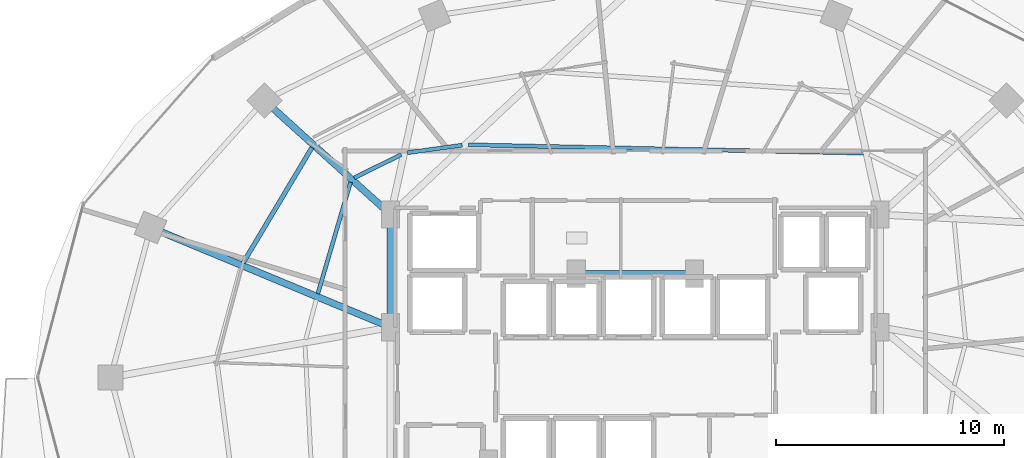
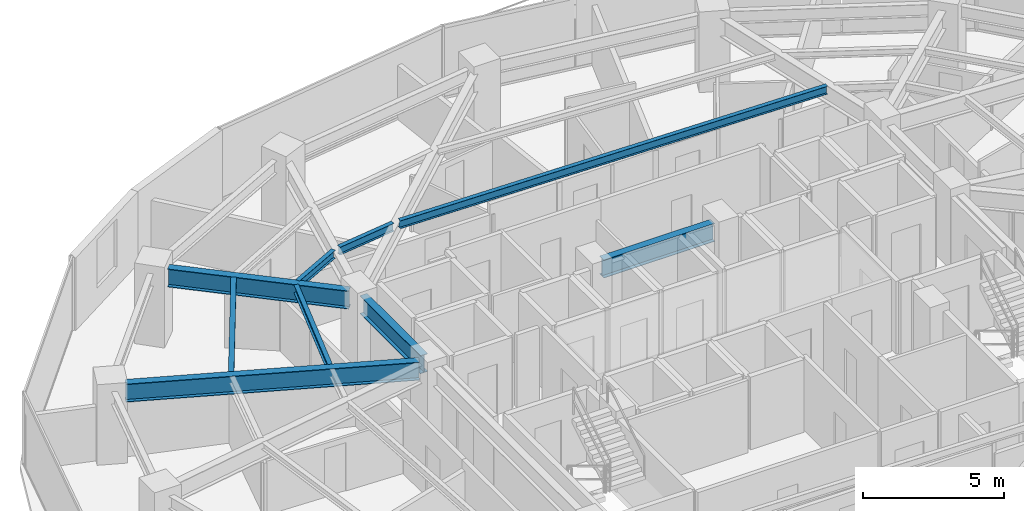
# One storey, part 10 of 29: 9 beams.
"""IFC4 building model written with IfcOpenShell, lengths in metres."""

from ifc_helpers import new_model, si_unit, direction, frame, origin, origin_2d, place, context, subcontext, project, spatial, i_section, extrude, material, material_profile, profile_set, type_object, element, save


model = new_model("IFC4")

# Units and contexts
model_context = context("Model", 3, precision=1e-05, world=origin(), true_north=direction((0.0, 1.0)))
body_context = subcontext(model_context, "Body", "Model", "MODEL_VIEW")
ifc_project = project(units=[si_unit("LENGTHUNIT", "METRE"), si_unit("AREAUNIT", "SQUARE_METRE"), si_unit("VOLUMEUNIT", "CUBIC_METRE"), si_unit("PLANEANGLEUNIT", "RADIAN"), si_unit("MASSUNIT", "GRAM", prefix="KILO")], contexts=[model_context])

# Site, building, storey
site_placement = place(None, origin())
site = spatial("IfcSite", under=ifc_project, at=site_placement, CompositionType="ELEMENT")
building_placement = place(site_placement, origin())
building = spatial("IfcBuilding", under=site, at=building_placement, Name="Vorneva Point Tower", CompositionType="ELEMENT")
storey_placement = place(building_placement, frame((0.0, 0.0, 120.800048828125)))
storey = spatial("IfcBuildingStorey", under=building, at=storey_placement, Name="L32", CompositionType="ELEMENT", Elevation=120.800048828125)

# Beams
ifc_material = material(Name="Steel S355", Category="steel")
ifc_material_profile_1 = material_profile(ifc_material, i_section(OverallWidth=0.300048828125, OverallDepth=0.7880859375, WebThickness=0.014404296875, FlangeThickness=0.02197265625, at=origin_2d()), Name="80Sh1")
ifc_profile_set_1 = profile_set([ifc_material_profile_1], Name="Steel S355")
beam_type_1 = type_object("IfcBeamType", Name="BM-GRD-80Sh1", PredefinedType="USERDEFINED", material=ifc_profile_set_1)
beam_1_placement = place(storey_placement, frame((22.100341796875, 37.801513671875, 2.755859375), z_axis=(0.742097300344, -0.670292172729, 0.0), x_axis=(0.670292172729, 0.742097300344, 0.0)))
element("IfcBeam", 1, at=beam_1_placement, inside=storey, type_object=beam_type_1, Name="L32 Radial Primary Girder 07", ObjectType="GIRDER", PredefinedType="USERDEFINED", context=body_context, shape_type="SweptSolid", body=[
    extrude(i_section(OverallWidth=0.300048828125, OverallDepth=0.7880859375, WebThickness=0.014404296875, FlangeThickness=0.02197265625, at=origin_2d()), origin(), (0.0, 0.0, 1.0), 6.599365234375),
])
beam_2_placement = place(storey_placement, frame((17.201416015625, 32.375732421875, 2.755859375), z_axis=(0.923444451211, -0.383732127307, 0.0), x_axis=(0.383732127307, 0.923444451211, 0.0)))
element("IfcBeam", 2, at=beam_2_placement, inside=storey, type_object=beam_type_1, Name="L32 Radial Primary Girder 08", ObjectType="GIRDER", PredefinedType="USERDEFINED", context=body_context, shape_type="SweptSolid", body=[
    extrude(i_section(OverallWidth=0.300048828125, OverallDepth=0.7880859375, WebThickness=0.014404296875, FlangeThickness=0.02197265625, at=origin_2d()), origin(), (0.0, 0.0, 1.0), 10.541748046875),
])
beam_3_placement = place(storey_placement, frame((27.25, 28.52001953125, 2.755859375), z_axis=(0.0, 1.0, 0.0), x_axis=(-1.0, 0.0, 0.0)))
element("IfcBeam", 3, at=beam_3_placement, inside=storey, type_object=beam_type_1, Name="L32 Core Tie Girder CT2", ObjectType="GIRDER", PredefinedType="USERDEFINED", context=body_context, shape_type="SweptSolid", body=[
    extrude(i_section(OverallWidth=0.300048828125, OverallDepth=0.7880859375, WebThickness=0.014404296875, FlangeThickness=0.02197265625, at=origin_2d()), origin(), (0.0, 0.0, 1.0), 4.31005859375),
])
beam_4_placement = place(storey_placement, frame((35.719970703125, 30.550048828125, 2.755859375), z_axis=(1.0, 0.0, 0.0), x_axis=(0.0, 1.0, 0.0)))
element("IfcBeam", 4, at=beam_4_placement, inside=storey, type_object=beam_type_1, Name="L32 Core Tie Girder CT8", ObjectType="GIRDER", PredefinedType="USERDEFINED", context=body_context, shape_type="SweptSolid", body=[
    extrude(i_section(OverallWidth=0.300048828125, OverallDepth=0.7880859375, WebThickness=0.014404296875, FlangeThickness=0.02197265625, at=origin_2d()), origin(), (0.0, 0.0, 1.0), 4.56005859375),
])
ifc_material_profile_2 = material_profile(ifc_material, i_section(OverallWidth=0.199951171875, OverallDepth=0.291015625, WebThickness=0.008056640625, FlangeThickness=0.010986328125, at=origin_2d()), Name="30Sh1")
ifc_profile_set_2 = profile_set([ifc_material_profile_2], Name="Steel S355")
beam_type_2 = type_object("IfcBeamType", Name="BM-SEC-30Sh1", PredefinedType="BEAM", material=ifc_profile_set_2)
beam_5_placement = place(storey_placement, frame((23.792724609375, 36.090576171875, 3.00439453125), z_axis=(-0.512554220876, -0.8586548612, 0.0), x_axis=(0.8586548612, -0.512554220876, 0.0)))
element("IfcBeam", 5, at=beam_5_placement, inside=storey, type_object=beam_type_2, Name="L32 Secondary Floor Beam 1.07", PredefinedType="BEAM", context=body_context, shape_type="SweptSolid", body=[
    extrude(i_section(OverallWidth=0.199951171875, OverallDepth=0.291015625, WebThickness=0.008056640625, FlangeThickness=0.010986328125, at=origin_2d()), origin(), (0.0, 0.0, 1.0), 5.884521484375),
])
ifc_material_profile_3 = material_profile(ifc_material, i_section(OverallWidth=0.174072265625, OverallDepth=0.345947265625, WebThickness=0.006103515625, FlangeThickness=0.009033203125, at=origin_2d()), Name="35B1")
ifc_profile_set_3 = profile_set([ifc_material_profile_3], Name="Steel S355")
beam_type_3 = type_object("IfcBeamType", Name="BM-SEC-35B1", PredefinedType="BEAM", material=ifc_profile_set_3)
beam_6_placement = place(storey_placement, frame((48.016845703125, 35.849853515625, 2.97705078125), z_axis=(-0.99977933568, 0.021006664342, 0.0), x_axis=(-0.021006664342, -0.99977933568, 0.0)))
element("IfcBeam", 6, at=beam_6_placement, inside=storey, type_object=beam_type_3, Name="L32 Secondary Floor Beam 2.04", PredefinedType="BEAM", context=body_context, shape_type="SweptSolid", body=[
    extrude(i_section(OverallWidth=0.174072265625, OverallDepth=0.345947265625, WebThickness=0.006103515625, FlangeThickness=0.009033203125, at=origin_2d()), origin(), (0.0, 0.0, 1.0), 17.351806640625),
])
beam_7_placement = place(storey_placement, frame((30.394287109375, 36.198486328125, 2.97705078125), z_axis=(-0.990619725387, -0.136647574709, 0.0), x_axis=(0.136647574709, -0.990619725387, 0.0)))
element("IfcBeam", 7, at=beam_7_placement, inside=storey, type_object=beam_type_3, Name="L32 Secondary Floor Beam 2.05", PredefinedType="BEAM", context=body_context, shape_type="SweptSolid", body=[
    extrude(i_section(OverallWidth=0.174072265625, OverallDepth=0.345947265625, WebThickness=0.006103515625, FlangeThickness=0.009033203125, at=origin_2d()), origin(), (0.0, 0.0, 1.0), 2.435302734375),
])
beam_8_placement = place(storey_placement, frame((27.721435546875, 35.785888671875, 2.97705078125), z_axis=(-0.896973792336, -0.442083720423, 0.0), x_axis=(0.442083720423, -0.896973792336, 0.0)))
element("IfcBeam", 8, at=beam_8_placement, inside=storey, type_object=beam_type_3, Name="L32 Secondary Floor Beam 2.06", PredefinedType="BEAM", context=body_context, shape_type="SweptSolid", body=[
    extrude(i_section(OverallWidth=0.174072265625, OverallDepth=0.345947265625, WebThickness=0.006103515625, FlangeThickness=0.009033203125, at=origin_2d()), origin(), (0.0, 0.0, 1.0), 2.306640625),
])
beam_9_placement = place(storey_placement, frame((25.48974609375, 34.572509765625, 2.97705078125), z_axis=(-0.281319059286, -0.959614290683, 0.0), x_axis=(0.959614290683, -0.281319059286, 0.0)))
element("IfcBeam", 9, at=beam_9_placement, inside=storey, type_object=beam_type_3, Name="L32 Secondary Floor Beam 2.07", PredefinedType="BEAM", context=body_context, shape_type="SweptSolid", body=[
    extrude(i_section(OverallWidth=0.174072265625, OverallDepth=0.345947265625, WebThickness=0.006103515625, FlangeThickness=0.009033203125, at=origin_2d()), origin(), (0.0, 0.0, 1.0), 5.10205078125),
])

save(model, "model.ifc")
